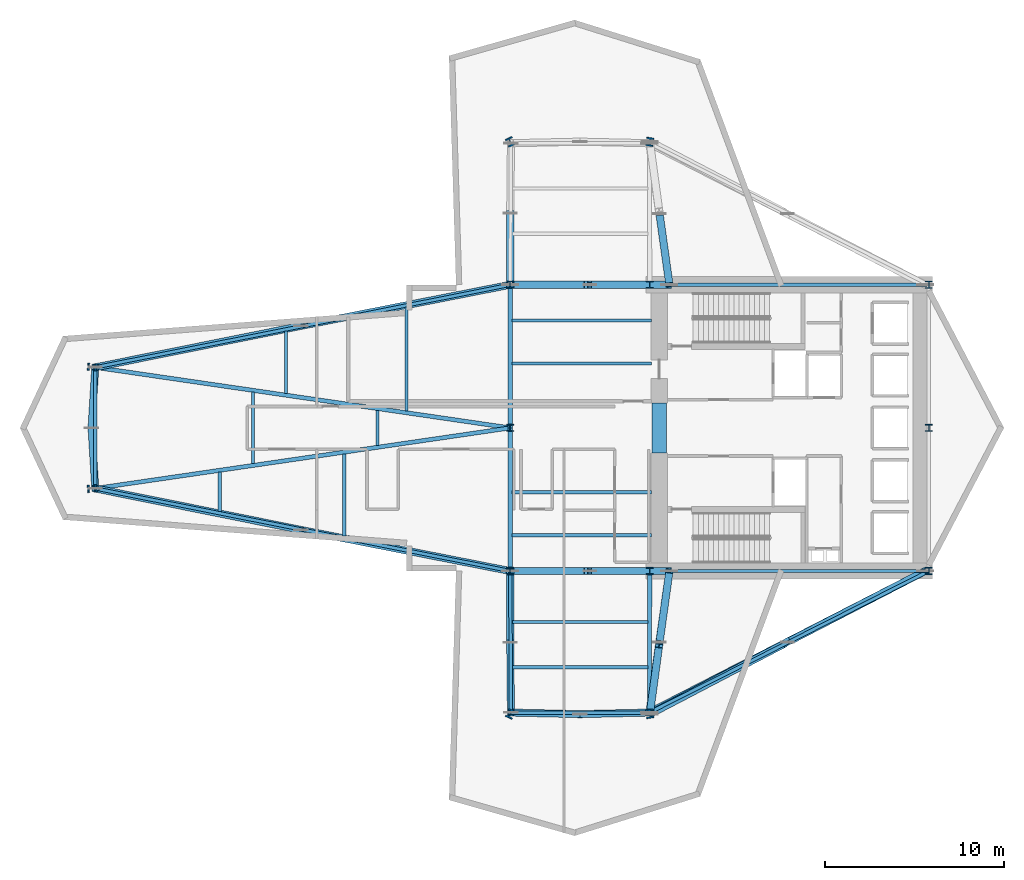
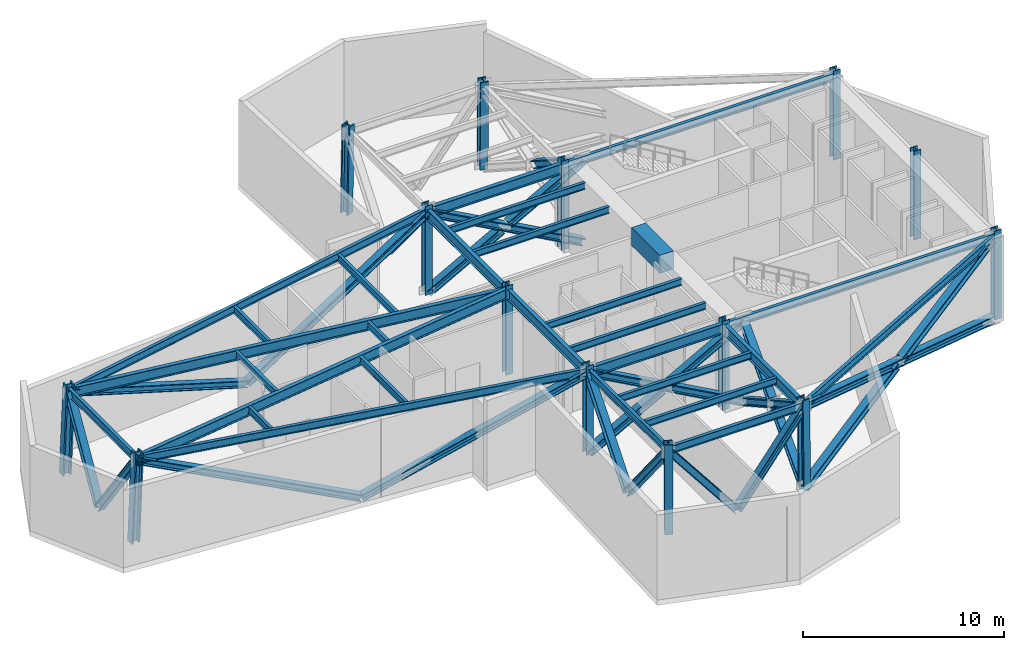
# One storey, part 1 of 7: 28 beams, 24 members, 14 columns.
"""IFC4 building model written with IfcOpenShell, lengths in metres."""

from ifc_helpers import new_model, si_unit, direction, frame, origin, origin_2d, place, context, subcontext, project, spatial, rectangle, i_section, extrude, material, material_profile, profile_set, type_object, element, save


model = new_model("IFC4")

# Units and contexts
model_context = context("Model", 3, precision=1e-05, world=origin(), true_north=direction((0.0, 1.0)))
body_context = subcontext(model_context, "Body", "Model", "MODEL_VIEW")
ifc_project = project(units=[si_unit("LENGTHUNIT", "METRE"), si_unit("AREAUNIT", "SQUARE_METRE"), si_unit("VOLUMEUNIT", "CUBIC_METRE"), si_unit("PLANEANGLEUNIT", "RADIAN"), si_unit("MASSUNIT", "GRAM", prefix="KILO")], contexts=[model_context])

# Site, building, storey
site_placement = place(None, origin())
site = spatial("IfcSite", under=ifc_project, at=site_placement, CompositionType="ELEMENT")
building_placement = place(site_placement, origin())
building = spatial("IfcBuilding", under=site, at=building_placement, Name="Veymaron Broadcast Tower", CompositionType="ELEMENT")
storey_placement = place(building_placement, frame((0.0, 0.0, 32.39990234375)))
storey = spatial("IfcBuildingStorey", under=building, at=storey_placement, Name="L06", CompositionType="ELEMENT", Elevation=32.39990234375)

# Columns
ifc_material_1 = material(Name="Structural steel ASTM A913 Gr 65", Category="steel")
ifc_material_profile_1 = material_profile(ifc_material_1, i_section(OverallWidth=0.40087890625, OverallDepth=0.39892578125, WebThickness=0.02490234375, FlangeThickness=0.03955078125, at=origin_2d()), Name="W360X314")
ifc_profile_set_1 = profile_set([ifc_material_profile_1], Name="Structural steel ASTM A913 Gr 65")
column_type_1 = type_object("IfcColumnType", Name="COL-HC1", PredefinedType="COLUMN", material=ifc_profile_set_1)
for number, where, z_axis, x_axis, name in (
    (1, (31.199951171875, 16.0, 0.0), (0.0, 0.0, 1.0), (1.0, 0.0, 0.0), "L06 structural hub and core column"),
    (2, (31.199951171875, 24.0, 0.0), (0.0, 0.0, 1.0), (1.0, 0.0, 0.0), "L06 structural hub and core column"),
    (3, (31.199951171875, 32.0, 0.0), (0.0, 0.0, 1.0), (1.0, 0.0, 0.0), "L06 structural hub and core column"),
    (4, (39.0, 16.0, 0.0), (0.0, 0.0, 1.0), (1.0, 0.0, 0.0), "L06 structural hub and core column"),
    (5, (39.0, 32.0, 0.0), (0.0, 0.0, 1.0), (1.0, 0.0, 0.0), "L06 structural hub and core column"),
    (6, (54.60009765625, 16.0, 0.0), (0.0, 0.0, 1.0), (1.0, 0.0, 0.0), "L06 structural hub and core column"),
    (7, (54.60009765625, 24.0, 0.0), (0.0, 0.0, 1.0), (1.0, 0.0, 0.0), "L06 structural hub and core column"),
    (8, (54.60009765625, 32.0, 0.0), (0.0, 0.0, 1.0), (1.0, 0.0, 0.0), "L06 structural hub and core column"),
):
    element("IfcColumn", number, at=place(storey_placement, frame(where, z_axis=z_axis, x_axis=x_axis)), inside=storey, type_object=column_type_1, Name=name, PredefinedType="COLUMN", context=body_context, shape_type="SweptSolid", body=[
        extrude(i_section(OverallWidth=0.40087890625, OverallDepth=0.39892578125, WebThickness=0.02490234375, FlangeThickness=0.03955078125, at=origin_2d()), origin(), (0.0, 0.0, 1.0), 5.39404296875),
    ])
ifc_material_profile_2 = material_profile(ifc_material_1, i_section(OverallWidth=0.424072265625, OverallDepth=0.47412109375, WebThickness=0.047607421875, FlangeThickness=0.076904296875, at=origin_2d()), Name="W360X634")
ifc_profile_set_2 = profile_set([ifc_material_profile_2], Name="Structural steel ASTM A913 Gr 65")
column_type_2 = type_object("IfcColumnType", Name="COL-MC1", PredefinedType="COLUMN", material=ifc_profile_set_2)
for number, where, z_axis, x_axis, name in (
    (9, (7.800048828125, 20.60009765625, 0.01611328125), (0.038539443418, 0.002772294869, 0.999253234011), (-0.071748570475, 0.997422750209, 0.0), "L06 Tapered Wing Mega Column"),
    (10, (7.800048828125, 27.39990234375, 0.01611328125), (0.038539443418, -0.002772294869, 0.999253234011), (0.071748570475, 0.997422750209, 0.0), "L06 Tapered Wing Mega Column"),
):
    element("IfcColumn", number, at=place(storey_placement, frame(where, z_axis=z_axis, x_axis=x_axis)), inside=storey, type_object=column_type_2, Name=name, PredefinedType="COLUMN", context=body_context, shape_type="SweptSolid", body=[
        extrude(i_section(OverallWidth=0.424072265625, OverallDepth=0.47412109375, WebThickness=0.047607421875, FlangeThickness=0.076904296875, at=origin_2d()), origin(), (0.0, 0.0, 1.0), 5.371826171875),
    ])
column_1_placement = place(storey_placement, frame((31.199951171875, 40.0, 0.01611328125), z_axis=(0.007821463692, -0.016779768036, 0.999828617359), x_axis=(0.906371306068, 0.422482018004, 0.0)))
element("IfcColumn", 11, at=column_1_placement, inside=storey, type_object=column_type_2, Name="L06 Tapered Wing Mega Column", PredefinedType="COLUMN", context=body_context, shape_type="SweptSolid", body=[
    extrude(i_section(OverallWidth=0.424072265625, OverallDepth=0.47412109375, WebThickness=0.047607421875, FlangeThickness=0.076904296875, at=origin_2d()), origin(), (0.0, 0.0, 1.0), 5.368896484375),
])
column_2_placement = place(storey_placement, frame((39.0, 40.0, 0.01611328125), z_axis=(-0.002773965371, -0.016780216752, 0.99985535426), x_axis=(0.986609855888, -0.163098106258, 0.0)))
element("IfcColumn", 12, at=column_2_placement, inside=storey, type_object=column_type_2, Name="L06 Tapered Wing Mega Column", PredefinedType="COLUMN", context=body_context, shape_type="SweptSolid", body=[
    extrude(i_section(OverallWidth=0.424072265625, OverallDepth=0.47412109375, WebThickness=0.047607421875, FlangeThickness=0.076904296875, at=origin_2d()), origin(), (0.0, 0.0, 1.0), 5.36865234375),
])
column_3_placement = place(storey_placement, frame((31.199951171875, 8.0, 0.01611328125), z_axis=(0.007821463692, 0.016779768036, 0.999828617359), x_axis=(-0.906371306068, 0.422482018004, 0.0)))
element("IfcColumn", 13, at=column_3_placement, inside=storey, type_object=column_type_2, Name="L06 Tapered Wing Mega Column", PredefinedType="COLUMN", context=body_context, shape_type="SweptSolid", body=[
    extrude(i_section(OverallWidth=0.424072265625, OverallDepth=0.47412109375, WebThickness=0.047607421875, FlangeThickness=0.076904296875, at=origin_2d()), origin(), (0.0, 0.0, 1.0), 5.368896484375),
])
column_4_placement = place(storey_placement, frame((39.0, 8.0, 0.01611328125), z_axis=(-0.002773965371, 0.016780216752, 0.99985535426), x_axis=(-0.986609855888, -0.163098106258, 0.0)))
element("IfcColumn", 14, at=column_4_placement, inside=storey, type_object=column_type_2, Name="L06 Tapered Wing Mega Column", PredefinedType="COLUMN", context=body_context, shape_type="SweptSolid", body=[
    extrude(i_section(OverallWidth=0.424072265625, OverallDepth=0.47412109375, WebThickness=0.047607421875, FlangeThickness=0.076904296875, at=origin_2d()), origin(), (0.0, 0.0, 1.0), 5.36865234375),
])

# Beams
ifc_material_2 = material(Name="Concrete C70/85", Category="concrete")
ifc_material_profile_3 = material_profile(ifc_material_2, rectangle(XDim=0.800048828125, YDim=1.10009765625, at=origin_2d()), Name="RC800X1100")
ifc_profile_set_3 = profile_set([ifc_material_profile_3], Name="Concrete C70/85")
beam_type_1 = type_object("IfcBeamType", Name="BM-CB1", PredefinedType="LINTEL", material=ifc_profile_set_3)
beam_1_placement = place(storey_placement, frame((39.530029296875, 22.60009765625, 4.610107421875), z_axis=(0.0, 1.0, 0.0), x_axis=(-1.0, 0.0, 0.0)))
element("IfcBeam", 15, at=beam_1_placement, inside=storey, type_object=beam_type_1, Name="L06 Core Wall west coupling beam", PredefinedType="LINTEL", context=body_context, shape_type="SweptSolid", body=[
    extrude(rectangle(XDim=0.800048828125, YDim=1.10009765625, at=origin_2d()), origin(), (0.0, 0.0, 1.0), 2.7998046875),
])
ifc_material_3 = material(Name="Structural steel ASTM A992 Gr 50", Category="steel")
ifc_material_profile_4 = material_profile(ifc_material_3, i_section(OverallWidth=0.22998046875, OverallDepth=0.616943359375, WebThickness=0.01318359375, FlangeThickness=0.022216796875, at=origin_2d()), Name="W610X140")
ifc_profile_set_4 = profile_set([ifc_material_profile_4], Name="Structural steel ASTM A992 Gr 50")
beam_type_2 = type_object("IfcBeamType", Name="BM-FG1", PredefinedType="BEAM", material=ifc_profile_set_4)
for number, where, z_axis, x_axis, name in (
    (16, (31.199951171875, 16.0, 4.8515625), (0.0, 1.0, 0.0), (-1.0, 0.0, 0.0), "L06 primary structural floor girder"),
    (17, (31.199951171875, 24.0, 4.8515625), (0.0, 1.0, 0.0), (-1.0, 0.0, 0.0), "L06 primary structural floor girder"),
):
    element("IfcBeam", number, at=place(storey_placement, frame(where, z_axis=z_axis, x_axis=x_axis)), inside=storey, type_object=beam_type_2, Name=name, PredefinedType="BEAM", context=body_context, shape_type="SweptSolid", body=[
        extrude(i_section(OverallWidth=0.22998046875, OverallDepth=0.616943359375, WebThickness=0.01318359375, FlangeThickness=0.022216796875, at=origin_2d()), origin(), (0.0, 0.0, 1.0), 8.0),
    ])
for number, where, z_axis, x_axis, name in (
    (18, (31.199951171875, 16.0, 4.8515625), (1.0, 0.0, 0.0), (0.0, 1.0, 0.0), "L06 primary structural floor girder"),
    (19, (31.199951171875, 32.0, 4.8515625), (1.0, 0.0, 0.0), (0.0, 1.0, 0.0), "L06 primary structural floor girder"),
):
    element("IfcBeam", number, at=place(storey_placement, frame(where, z_axis=z_axis, x_axis=x_axis)), inside=storey, type_object=beam_type_2, Name=name, PredefinedType="BEAM", context=body_context, shape_type="SweptSolid", body=[
        extrude(i_section(OverallWidth=0.22998046875, OverallDepth=0.616943359375, WebThickness=0.01318359375, FlangeThickness=0.022216796875, at=origin_2d()), origin(), (0.0, 0.0, 1.0), 7.800048828125),
    ])
for number, where, z_axis, x_axis, name in (
    (20, (8.007080078125, 20.614990234375, 4.8515625), (0.989516427304, 0.144420359003, 0.0), (-0.144420359003, 0.989516427304, 0.0), "L06 primary structural floor girder"),
    (21, (8.007080078125, 27.385009765625, 4.8515625), (0.989516427304, -0.144420359003, 0.0), (0.144420359003, 0.989516427304, 0.0), "L06 primary structural floor girder"),
):
    element("IfcBeam", number, at=place(storey_placement, frame(where, z_axis=z_axis, x_axis=x_axis)), inside=storey, type_object=beam_type_2, Name=name, PredefinedType="BEAM", context=body_context, shape_type="SweptSolid", body=[
        extrude(i_section(OverallWidth=0.22998046875, OverallDepth=0.616943359375, WebThickness=0.01318359375, FlangeThickness=0.022216796875, at=origin_2d()), origin(), (0.0, 0.0, 1.0), 23.4384765625),
    ])
beam_2_placement = place(storey_placement, frame((39.0, 16.0, 4.8515625), z_axis=(-0.001882770823, -0.999998227585, 0.0), x_axis=(0.999998227585, -0.001882770823, 0.0)))
element("IfcBeam", 22, at=beam_2_placement, inside=storey, type_object=beam_type_2, Name="L06 primary structural floor girder", PredefinedType="BEAM", context=body_context, shape_type="SweptSolid", body=[
    extrude(i_section(OverallWidth=0.22998046875, OverallDepth=0.616943359375, WebThickness=0.01318359375, FlangeThickness=0.022216796875, at=origin_2d()), origin(), (0.0, 0.0, 1.0), 7.909912109375),
])
ifc_material_profile_5 = material_profile(ifc_material_3, i_section(OverallWidth=0.177978515625, OverallDepth=0.406982421875, WebThickness=0.0078125, FlangeThickness=0.0126953125, at=origin_2d()), Name="W410X60")
ifc_profile_set_5 = profile_set([ifc_material_profile_5], Name="Structural steel ASTM A992 Gr 50")
beam_type_3 = type_object("IfcBeamType", Name="BM-JS1", PredefinedType="JOIST", material=ifc_profile_set_5)
beam_3_placement = place(storey_placement, frame((14.96484375, 19.33056640625, 4.95654296875), z_axis=(0.0, 1.0, 0.0), x_axis=(-1.0, 0.0, 0.0)))
element("IfcBeam", 23, at=beam_3_placement, inside=storey, type_object=beam_type_3, Name="L06 Arm-A secondary joist 1S", PredefinedType="JOIST", context=body_context, shape_type="SweptSolid", body=[
    extrude(i_section(OverallWidth=0.177978515625, OverallDepth=0.406982421875, WebThickness=0.0078125, FlangeThickness=0.0126953125, at=origin_2d()), origin(), (0.0, 0.0, 1.0), 2.199951171875),
])
beam_4_placement = place(storey_placement, frame((16.8203125, 22.001220703125, 4.95654296875), z_axis=(0.0, 1.0, 0.0), x_axis=(-1.0, 0.0, 0.0)))
element("IfcBeam", 24, at=beam_4_placement, inside=storey, type_object=beam_type_3, Name="L06 Arm-A secondary joist 1M", PredefinedType="JOIST", context=body_context, shape_type="SweptSolid", body=[
    extrude(i_section(OverallWidth=0.177978515625, OverallDepth=0.406982421875, WebThickness=0.0078125, FlangeThickness=0.0126953125, at=origin_2d()), origin(), (0.0, 0.0, 1.0), 3.99755859375),
])
beam_5_placement = place(storey_placement, frame((18.67578125, 25.927978515625, 4.95654296875), z_axis=(0.0, 1.0, 0.0), x_axis=(-1.0, 0.0, 0.0)))
element("IfcBeam", 25, at=beam_5_placement, inside=storey, type_object=beam_type_3, Name="L06 Arm-A secondary joist 1N", PredefinedType="JOIST", context=body_context, shape_type="SweptSolid", body=[
    extrude(i_section(OverallWidth=0.177978515625, OverallDepth=0.406982421875, WebThickness=0.0078125, FlangeThickness=0.0126953125, at=origin_2d()), origin(), (0.0, 0.0, 1.0), 3.47998046875),
])
beam_6_placement = place(storey_placement, frame((21.9228515625, 17.946044921875, 4.95654296875), z_axis=(0.0, 1.0, 0.0), x_axis=(-1.0, 0.0, 0.0)))
element("IfcBeam", 26, at=beam_6_placement, inside=storey, type_object=beam_type_3, Name="L06 Arm-A secondary joist 2S", PredefinedType="JOIST", context=body_context, shape_type="SweptSolid", body=[
    extrude(i_section(OverallWidth=0.177978515625, OverallDepth=0.406982421875, WebThickness=0.0078125, FlangeThickness=0.0126953125, at=origin_2d()), origin(), (0.0, 0.0, 1.0), 4.599853515625),
])
beam_7_placement = place(storey_placement, frame((23.7783203125, 23.016845703125, 4.95654296875), z_axis=(0.0, 1.0, 0.0), x_axis=(-1.0, 0.0, 0.0)))
element("IfcBeam", 27, at=beam_7_placement, inside=storey, type_object=beam_type_3, Name="L06 Arm-A secondary joist 2M", PredefinedType="JOIST", context=body_context, shape_type="SweptSolid", body=[
    extrude(i_section(OverallWidth=0.177978515625, OverallDepth=0.406982421875, WebThickness=0.0078125, FlangeThickness=0.0126953125, at=origin_2d()), origin(), (0.0, 0.0, 1.0), 1.96630859375),
])
beam_8_placement = place(storey_placement, frame((25.401611328125, 24.9462890625, 4.95654296875), z_axis=(0.0, 1.0, 0.0), x_axis=(-1.0, 0.0, 0.0)))
element("IfcBeam", 28, at=beam_8_placement, inside=storey, type_object=beam_type_3, Name="L06 Arm-A secondary joist 2N", PredefinedType="JOIST", context=body_context, shape_type="SweptSolid", body=[
    extrude(i_section(OverallWidth=0.177978515625, OverallDepth=0.406982421875, WebThickness=0.0078125, FlangeThickness=0.0126953125, at=origin_2d()), origin(), (0.0, 0.0, 1.0), 5.7998046875),
])
beam_9_placement = place(storey_placement, frame((31.315185546875, 13.15234375, 4.95654296875), z_axis=(1.0, 0.0, 0.0), x_axis=(0.0, 1.0, 0.0)))
element("IfcBeam", 29, at=beam_9_placement, inside=storey, type_object=beam_type_3, Name="L06 Arm-C secondary joist 1", PredefinedType="JOIST", context=body_context, shape_type="SweptSolid", body=[
    extrude(i_section(OverallWidth=0.177978515625, OverallDepth=0.406982421875, WebThickness=0.0078125, FlangeThickness=0.0126953125, at=origin_2d()), origin(), (0.0, 0.0, 1.0), 7.579345703125),
])
beam_10_placement = place(storey_placement, frame((31.32861328125, 10.62109375, 4.95654296875), z_axis=(1.0, 0.0, 0.0), x_axis=(0.0, 1.0, 0.0)))
element("IfcBeam", 30, at=beam_10_placement, inside=storey, type_object=beam_type_3, Name="L06 Arm-C secondary joist 2", PredefinedType="JOIST", context=body_context, shape_type="SweptSolid", body=[
    extrude(i_section(OverallWidth=0.177978515625, OverallDepth=0.406982421875, WebThickness=0.0078125, FlangeThickness=0.0126953125, at=origin_2d()), origin(), (0.0, 0.0, 1.0), 7.561279296875),
])
for number, where, z_axis, x_axis, name in (
    (31, (31.300048828125, 18.0, 4.95654296875), (1.0, 0.0, 0.0), (0.0, 1.0, 0.0), "L06 Hub secondary joist 1"),
    (32, (31.300048828125, 20.39990234375, 4.95654296875), (1.0, 0.0, 0.0), (0.0, 1.0, 0.0), "L06 Hub secondary joist 2"),
    (33, (31.300048828125, 27.60009765625, 4.95654296875), (1.0, 0.0, 0.0), (0.0, 1.0, 0.0), "L06 Hub secondary joist 3"),
    (34, (31.300048828125, 30.0, 4.95654296875), (1.0, 0.0, 0.0), (0.0, 1.0, 0.0), "L06 Hub secondary joist 4"),
):
    element("IfcBeam", number, at=place(storey_placement, frame(where, z_axis=z_axis, x_axis=x_axis)), inside=storey, type_object=beam_type_3, Name=name, PredefinedType="JOIST", context=body_context, shape_type="SweptSolid", body=[
        extrude(i_section(OverallWidth=0.177978515625, OverallDepth=0.406982421875, WebThickness=0.0078125, FlangeThickness=0.0126953125, at=origin_2d()), origin(), (0.0, 0.0, 1.0), 7.800048828125),
    ])
ifc_material_profile_6 = material_profile(ifc_material_3, i_section(OverallWidth=0.19091796875, OverallDepth=0.4599609375, WebThickness=0.010009765625, FlangeThickness=0.01611328125, at=origin_2d()), Name="W460X82")
ifc_profile_set_6 = profile_set([ifc_material_profile_6], Name="Structural steel ASTM A992 Gr 50")
beam_type_4 = type_object("IfcBeamType", Name="BM-SP1", PredefinedType="SPANDREL", material=ifc_profile_set_6)
for number, where, z_axis, x_axis, name in (
    (35, (39.0, 16.0, 4.93017578125), (1.0, 0.0, 0.0), (0.0, 1.0, 0.0), "L06 primary structural floor girder"),
    (36, (39.0, 32.0, 4.93017578125), (1.0, 0.0, 0.0), (0.0, 1.0, 0.0), "L06 primary structural floor girder"),
):
    element("IfcBeam", number, at=place(storey_placement, frame(where, z_axis=z_axis, x_axis=x_axis)), inside=storey, type_object=beam_type_4, Name=name, PredefinedType="SPANDREL", context=body_context, shape_type="SweptSolid", body=[
        extrude(i_section(OverallWidth=0.19091796875, OverallDepth=0.4599609375, WebThickness=0.010009765625, FlangeThickness=0.01611328125, at=origin_2d()), origin(), (0.0, 0.0, 1.0), 15.60009765625),
    ])
for number, where, z_axis, x_axis, name in (
    (37, (8.007080078125, 20.614990234375, 4.93017578125), (0.980771997416, -0.195157088225, 0.0), (0.195157088225, 0.980771997416, 0.0), "L06 primary structural floor girder"),
    (38, (8.007080078125, 27.385009765625, 4.93017578125), (0.980771997416, 0.195157088225, 0.0), (-0.195157088225, 0.980771997416, 0.0), "L06 primary structural floor girder"),
):
    element("IfcBeam", number, at=place(storey_placement, frame(where, z_axis=z_axis, x_axis=x_axis)), inside=storey, type_object=beam_type_4, Name=name, PredefinedType="SPANDREL", context=body_context, shape_type="SweptSolid", body=[
        extrude(i_section(OverallWidth=0.19091796875, OverallDepth=0.4599609375, WebThickness=0.010009765625, FlangeThickness=0.01611328125, at=origin_2d()), origin(), (0.0, 0.0, 1.0), 23.6474609375),
    ])
beam_11_placement = place(storey_placement, frame((8.007080078125, 20.614990234375, 4.93017578125), z_axis=(0.0, 1.0, 0.0), x_axis=(-1.0, 0.0, 0.0)))
element("IfcBeam", 39, at=beam_11_placement, inside=storey, type_object=beam_type_4, Name="L06 primary structural floor girder", PredefinedType="SPANDREL", context=body_context, shape_type="SweptSolid", body=[
    extrude(i_section(OverallWidth=0.19091796875, OverallDepth=0.4599609375, WebThickness=0.010009765625, FlangeThickness=0.01611328125, at=origin_2d()), origin(), (0.0, 0.0, 1.0), 6.77001953125),
])
beam_12_placement = place(storey_placement, frame((31.199951171875, 16.0, 4.93017578125), z_axis=(0.005308731019, -0.999985908588, 0.0), x_axis=(0.999985908588, 0.005308731019, 0.0)))
element("IfcBeam", 40, at=beam_12_placement, inside=storey, type_object=beam_type_4, Name="L06 primary structural floor girder", PredefinedType="SPANDREL", context=body_context, shape_type="SweptSolid", body=[
    extrude(i_section(OverallWidth=0.19091796875, OverallDepth=0.4599609375, WebThickness=0.010009765625, FlangeThickness=0.01611328125, at=origin_2d()), origin(), (0.0, 0.0, 1.0), 7.909912109375),
])
beam_13_placement = place(storey_placement, frame((54.60009765625, 16.0, 4.93017578125), z_axis=(-0.892074535594, -0.451888285913, 0.0), x_axis=(0.451888285913, -0.892074535594, 0.0)))
element("IfcBeam", 41, at=beam_13_placement, inside=storey, type_object=beam_type_4, Name="L06 primary structural floor girder", PredefinedType="SPANDREL", context=body_context, shape_type="SweptSolid", body=[
    extrude(i_section(OverallWidth=0.19091796875, OverallDepth=0.4599609375, WebThickness=0.010009765625, FlangeThickness=0.01611328125, at=origin_2d()), origin(), (0.0, 0.0, 1.0), 17.504150390625),
])
beam_14_placement = place(storey_placement, frame((31.241943359375, 8.090087890625, 4.93017578125), z_axis=(1.0, 0.0, 0.0), x_axis=(0.0, 1.0, 0.0)))
element("IfcBeam", 42, at=beam_14_placement, inside=storey, type_object=beam_type_4, Name="L06 primary structural floor girder", PredefinedType="SPANDREL", context=body_context, shape_type="SweptSolid", body=[
    extrude(i_section(OverallWidth=0.19091796875, OverallDepth=0.4599609375, WebThickness=0.010009765625, FlangeThickness=0.01611328125, at=origin_2d()), origin(), (0.0, 0.0, 1.0), 7.7431640625),
])

# Members
ifc_material_profile_7 = material_profile(ifc_material_1, i_section(OverallWidth=0.40087890625, OverallDepth=0.39892578125, WebThickness=0.02490234375, FlangeThickness=0.03955078125, at=origin_2d()), Name="W360X314")
ifc_profile_set_7 = profile_set([ifc_material_profile_7], Name="Structural steel ASTM A913 Gr 65")
member_type_1 = type_object("IfcMemberType", Name="MEM-BT1", PredefinedType="BRACE", material=ifc_profile_set_7)
for number, where, z_axis, x_axis, name in (
    (43, (7.800048828125, 24.0, 0.02001953125), (0.034789228202, -0.568812086117, 0.82173141615), (0.998134884963, 0.061047124591, 0.0), "L06 Belt Truss perimeter diagonal L"),
    (44, (7.800048828125, 24.0, 0.02001953125), (0.034789228202, 0.568812086117, 0.82173141615), (-0.998134884963, 0.061047124591, 0.0), "L06 Belt Truss perimeter diagonal R"),
):
    element("IfcMember", number, at=place(storey_placement, frame(where, z_axis=z_axis, x_axis=x_axis)), inside=storey, type_object=member_type_1, Name=name, PredefinedType="BRACE", context=body_context, shape_type="SweptSolid", body=[
        extrude(i_section(OverallWidth=0.40087890625, OverallDepth=0.39892578125, WebThickness=0.02490234375, FlangeThickness=0.03955078125, at=origin_2d()), origin(), (0.0, 0.0, 1.0), 5.950927734375),
    ])
member_1_placement = place(storey_placement, frame((35.10009765625, 8.0, 0.02001953125), z_axis=(-0.619334216474, 0.014461451995, 0.784994264126), x_axis=(-0.023343633968, -0.999727500249, 0.0)))
element("IfcMember", 45, at=member_1_placement, inside=storey, type_object=member_type_1, Name="L06 Belt Truss perimeter diagonal L", PredefinedType="BRACE", context=body_context, shape_type="SweptSolid", body=[
    extrude(i_section(OverallWidth=0.40087890625, OverallDepth=0.39892578125, WebThickness=0.02490234375, FlangeThickness=0.03955078125, at=origin_2d()), origin(), (0.0, 0.0, 1.0), 6.2294921875),
])
member_2_placement = place(storey_placement, frame((35.10009765625, 8.0, 0.02001953125), z_axis=(0.621981006364, 0.014422861267, 0.78289948831), x_axis=(-0.023182356085, 0.999731253071, 0.0)))
element("IfcMember", 46, at=member_2_placement, inside=storey, type_object=member_type_1, Name="L06 Belt Truss perimeter diagonal R", PredefinedType="BRACE", context=body_context, shape_type="SweptSolid", body=[
    extrude(i_section(OverallWidth=0.40087890625, OverallDepth=0.39892578125, WebThickness=0.02490234375, FlangeThickness=0.03955078125, at=origin_2d()), origin(), (0.0, 0.0, 1.0), 6.24609375),
])
member_3_placement = place(storey_placement, frame((19.5, 29.699951171875, 0.02001953125), z_axis=(-0.904759136709, -0.182239535513, 0.384967084616), x_axis=(0.197457527364, -0.980311442801, 0.0)))
element("IfcMember", 47, at=member_3_placement, inside=storey, type_object=member_type_1, Name="L06 Belt Truss perimeter diagonal L", PredefinedType="BRACE", context=body_context, shape_type="SweptSolid", body=[
    extrude(i_section(OverallWidth=0.40087890625, OverallDepth=0.39892578125, WebThickness=0.02490234375, FlangeThickness=0.03955078125, at=origin_2d()), origin(), (0.0, 0.0, 1.0), 12.70263671875),
])
member_4_placement = place(storey_placement, frame((19.5, 29.699951171875, 0.02001953125), z_axis=(0.907839370942, 0.178468683381, 0.379442493166), x_axis=(-0.192894214887, 0.981219558439, 0.0)))
element("IfcMember", 48, at=member_4_placement, inside=storey, type_object=member_type_1, Name="L06 Belt Truss perimeter diagonal R", PredefinedType="BRACE", context=body_context, shape_type="SweptSolid", body=[
    extrude(i_section(OverallWidth=0.40087890625, OverallDepth=0.39892578125, WebThickness=0.02490234375, FlangeThickness=0.03955078125, at=origin_2d()), origin(), (0.0, 0.0, 1.0), 12.8876953125),
])
member_5_placement = place(storey_placement, frame((19.5, 18.300048828125, 0.02001953125), z_axis=(-0.904759136709, 0.182239535513, 0.384967084616), x_axis=(-0.197457527364, -0.980311442801, 0.0)))
element("IfcMember", 49, at=member_5_placement, inside=storey, type_object=member_type_1, Name="L06 Belt Truss perimeter diagonal L", PredefinedType="BRACE", context=body_context, shape_type="SweptSolid", body=[
    extrude(i_section(OverallWidth=0.40087890625, OverallDepth=0.39892578125, WebThickness=0.02490234375, FlangeThickness=0.03955078125, at=origin_2d()), origin(), (0.0, 0.0, 1.0), 12.70263671875),
])
member_6_placement = place(storey_placement, frame((19.5, 18.300048828125, 0.02001953125), z_axis=(0.907839370942, -0.178468683381, 0.379442493166), x_axis=(0.192894214887, 0.981219558439, 0.0)))
element("IfcMember", 50, at=member_6_placement, inside=storey, type_object=member_type_1, Name="L06 Belt Truss perimeter diagonal R", PredefinedType="BRACE", context=body_context, shape_type="SweptSolid", body=[
    extrude(i_section(OverallWidth=0.40087890625, OverallDepth=0.39892578125, WebThickness=0.02490234375, FlangeThickness=0.03955078125, at=origin_2d()), origin(), (0.0, 0.0, 1.0), 12.8876953125),
])
for number, where, z_axis, x_axis, name in (
    (51, (31.199951171875, 36.0, 0.02001953125), (0.0, -0.633140984351, 0.77403649393), (1.0, 0.0, 0.0), "L06 Belt Truss perimeter diagonal L"),
    (52, (31.199951171875, 12.0, 0.02001953125), (0.0, 0.633140984351, 0.77403649393), (-1.0, 0.0, 0.0), "L06 Belt Truss perimeter diagonal L"),
):
    element("IfcMember", number, at=place(storey_placement, frame(where, z_axis=z_axis, x_axis=x_axis)), inside=storey, type_object=member_type_1, Name=name, PredefinedType="BRACE", context=body_context, shape_type="SweptSolid", body=[
        extrude(i_section(OverallWidth=0.40087890625, OverallDepth=0.39892578125, WebThickness=0.02490234375, FlangeThickness=0.03955078125, at=origin_2d()), origin(), (0.0, 0.0, 1.0), 6.317626953125),
    ])
member_7_placement = place(storey_placement, frame((31.199951171875, 12.0, 0.02001953125), z_axis=(0.006706732586, -0.624466990515, 0.781022405246), x_axis=(0.999942331926, 0.010739311963, 0.0)))
element("IfcMember", 53, at=member_7_placement, inside=storey, type_object=member_type_1, Name="L06 Belt Truss perimeter diagonal R", PredefinedType="BRACE", context=body_context, shape_type="SweptSolid", body=[
    extrude(i_section(OverallWidth=0.40087890625, OverallDepth=0.39892578125, WebThickness=0.02490234375, FlangeThickness=0.03955078125, at=origin_2d()), origin(), (0.0, 0.0, 1.0), 6.26123046875),
])
ifc_material_profile_8 = material_profile(ifc_material_1, i_section(OverallWidth=0.412109375, OverallDepth=0.43505859375, WebThickness=0.035888671875, FlangeThickness=0.05810546875, at=origin_2d()), Name="W360X463")
ifc_profile_set_8 = profile_set([ifc_material_profile_8], Name="Structural steel ASTM A913 Gr 65")
member_type_2 = type_object("IfcMemberType", Name="MEM-OT1", PredefinedType="BRACE", material=ifc_profile_set_8)
member_8_placement = place(storey_placement, frame((40.10009765625, 32.0, 0.02001953125), z_axis=(-0.876421401854, 0.0, 0.481544937022), x_axis=(0.0, -1.0, 0.0)))
element("IfcMember", 54, at=member_8_placement, inside=storey, type_object=member_type_2, Name="L06 Outrigger continuous diagonal brace OT-NWA", PredefinedType="BRACE", context=body_context, shape_type="SweptSolid", body=[
    extrude(i_section(OverallWidth=0.412109375, OverallDepth=0.43505859375, WebThickness=0.035888671875, FlangeThickness=0.05810546875, at=origin_2d()), origin(), (0.0, 0.0, 1.0), 10.155029296875),
])
member_9_placement = place(storey_placement, frame((40.10009765625, 32.0, 4.91015625), z_axis=(-0.876435321695, 0.0, -0.481519601767), x_axis=(0.0, -1.0, 0.0)))
element("IfcMember", 55, at=member_9_placement, inside=storey, type_object=member_type_2, Name="L06 Outrigger split diagonal upper segment OT-NWB1", PredefinedType="BRACE", context=body_context, shape_type="SweptSolid", body=[
    extrude(i_section(OverallWidth=0.412109375, OverallDepth=0.43505859375, WebThickness=0.035888671875, FlangeThickness=0.05810546875, at=origin_2d()), origin(), (0.0, 0.0, 1.0), 4.83740234375),
])
member_10_placement = place(storey_placement, frame((35.439697265625, 32.0, 2.349609375), z_axis=(-0.876414022615, 0.0, -0.481558367142), x_axis=(0.0, -1.0, 0.0)))
element("IfcMember", 56, at=member_10_placement, inside=storey, type_object=member_type_2, Name="L06 Outrigger split diagonal lower segment OT-NWB2", PredefinedType="BRACE", context=body_context, shape_type="SweptSolid", body=[
    extrude(i_section(OverallWidth=0.412109375, OverallDepth=0.43505859375, WebThickness=0.035888671875, FlangeThickness=0.05810546875, at=origin_2d()), origin(), (0.0, 0.0, 1.0), 4.837646484375),
])
member_11_placement = place(storey_placement, frame((40.10009765625, 16.0, 0.02001953125), z_axis=(-0.876421401854, 0.0, 0.481544937022), x_axis=(0.0, -1.0, 0.0)))
element("IfcMember", 57, at=member_11_placement, inside=storey, type_object=member_type_2, Name="L06 Outrigger continuous diagonal brace OT-SWA", PredefinedType="BRACE", context=body_context, shape_type="SweptSolid", body=[
    extrude(i_section(OverallWidth=0.412109375, OverallDepth=0.43505859375, WebThickness=0.035888671875, FlangeThickness=0.05810546875, at=origin_2d()), origin(), (0.0, 0.0, 1.0), 10.155029296875),
])
member_12_placement = place(storey_placement, frame((40.10009765625, 16.0, 4.91015625), z_axis=(-0.876435321695, 0.0, -0.481519601767), x_axis=(0.0, -1.0, 0.0)))
element("IfcMember", 58, at=member_12_placement, inside=storey, type_object=member_type_2, Name="L06 Outrigger split diagonal upper segment OT-SWB1", PredefinedType="BRACE", context=body_context, shape_type="SweptSolid", body=[
    extrude(i_section(OverallWidth=0.412109375, OverallDepth=0.43505859375, WebThickness=0.035888671875, FlangeThickness=0.05810546875, at=origin_2d()), origin(), (0.0, 0.0, 1.0), 4.83740234375),
])
member_13_placement = place(storey_placement, frame((35.439697265625, 16.0, 2.349609375), z_axis=(-0.876414022615, 0.0, -0.481558367142), x_axis=(0.0, -1.0, 0.0)))
element("IfcMember", 59, at=member_13_placement, inside=storey, type_object=member_type_2, Name="L06 Outrigger split diagonal lower segment OT-SWB2", PredefinedType="BRACE", context=body_context, shape_type="SweptSolid", body=[
    extrude(i_section(OverallWidth=0.412109375, OverallDepth=0.43505859375, WebThickness=0.035888671875, FlangeThickness=0.05810546875, at=origin_2d()), origin(), (0.0, 0.0, 1.0), 4.837646484375),
])
member_14_placement = place(storey_placement, frame((40.10009765625, 32.0, 4.91015625), z_axis=(-0.117864382853, 0.845898558277, -0.52015729963), x_axis=(-0.990431795457, -0.138003110642, 0.0)))
element("IfcMember", 60, at=member_14_placement, inside=storey, type_object=member_type_2, Name="L06 Outrigger split diagonal upper segment OT-B2B1", PredefinedType="BRACE", context=body_context, shape_type="SweptSolid", body=[
    extrude(i_section(OverallWidth=0.412109375, OverallDepth=0.43505859375, WebThickness=0.035888671875, FlangeThickness=0.05810546875, at=origin_2d()), origin(), (0.0, 0.0, 1.0), 4.461669921875),
])
member_15_placement = place(storey_placement, frame((40.10009765625, 16.0, 0.02001953125), z_axis=(-0.119045630548, -0.844528001778, 0.522111666274), x_axis=(0.99021062567, -0.139581219403, 0.0)))
element("IfcMember", 61, at=member_15_placement, inside=storey, type_object=member_type_2, Name="L06 Outrigger continuous diagonal brace OT-C2A", PredefinedType="BRACE", context=body_context, shape_type="SweptSolid", body=[
    extrude(i_section(OverallWidth=0.412109375, OverallDepth=0.43505859375, WebThickness=0.035888671875, FlangeThickness=0.05810546875, at=origin_2d()), origin(), (0.0, 0.0, 1.0), 9.365966796875),
])
member_16_placement = place(storey_placement, frame((40.10009765625, 16.0, 4.91015625), z_axis=(-0.117864382853, -0.845898558277, -0.52015729963), x_axis=(0.990431795457, -0.138003110642, 0.0)))
element("IfcMember", 62, at=member_16_placement, inside=storey, type_object=member_type_2, Name="L06 Outrigger split diagonal upper segment OT-C2B1", PredefinedType="BRACE", context=body_context, shape_type="SweptSolid", body=[
    extrude(i_section(OverallWidth=0.412109375, OverallDepth=0.43505859375, WebThickness=0.035888671875, FlangeThickness=0.05810546875, at=origin_2d()), origin(), (0.0, 0.0, 1.0), 4.461669921875),
])
member_17_placement = place(storey_placement, frame((39.518310546875, 11.819091796875, 2.3408203125), z_axis=(-0.1152079334, -0.848891993486, -0.515858038105), x_axis=(0.990915927433, -0.134482804701, 0.0)))
element("IfcMember", 63, at=member_17_placement, inside=storey, type_object=member_type_2, Name="L06 Outrigger split diagonal lower segment OT-C2B2", PredefinedType="BRACE", context=body_context, shape_type="SweptSolid", body=[
    extrude(i_section(OverallWidth=0.412109375, OverallDepth=0.43505859375, WebThickness=0.035888671875, FlangeThickness=0.05810546875, at=origin_2d()), origin(), (0.0, 0.0, 1.0), 4.4990234375),
])
member_18_placement = place(storey_placement, frame((54.39990234375, 16.0, 0.02001953125), z_axis=(-0.856250588128, -0.439374440595, 0.271634002442), x_axis=(0.456540060164, -0.889702856838, 0.0)))
element("IfcMember", 64, at=member_18_placement, inside=storey, type_object=member_type_2, Name="L06 Outrigger continuous diagonal brace OT-CEA", PredefinedType="BRACE", context=body_context, shape_type="SweptSolid", body=[
    extrude(i_section(OverallWidth=0.412109375, OverallDepth=0.43505859375, WebThickness=0.035888671875, FlangeThickness=0.05810546875, at=origin_2d()), origin(), (0.0, 0.0, 1.0), 18.002685546875),
])
member_19_placement = place(storey_placement, frame((54.39990234375, 16.0, 4.91015625), z_axis=(-0.855226880041, -0.441493648378, -0.271422810569), x_axis=(0.458713662443, -0.888584141141, 0.0)))
element("IfcMember", 65, at=member_19_placement, inside=storey, type_object=member_type_2, Name="L06 Outrigger split diagonal upper segment OT-CEB1", PredefinedType="BRACE", context=body_context, shape_type="SweptSolid", body=[
    extrude(i_section(OverallWidth=0.412109375, OverallDepth=0.43505859375, WebThickness=0.035888671875, FlangeThickness=0.05810546875, at=origin_2d()), origin(), (0.0, 0.0, 1.0), 8.76806640625),
])
member_20_placement = place(storey_placement, frame((46.4912109375, 11.916015625, 2.39990234375), z_axis=(-0.853053414234, -0.445931976415, -0.27100654028), x_axis=(0.463268644466, -0.88621789818, 0.0)))
element("IfcMember", 66, at=member_20_placement, inside=storey, type_object=member_type_2, Name="L06 Outrigger split diagonal lower segment OT-CEB2", PredefinedType="BRACE", context=body_context, shape_type="SweptSolid", body=[
    extrude(i_section(OverallWidth=0.412109375, OverallDepth=0.43505859375, WebThickness=0.035888671875, FlangeThickness=0.05810546875, at=origin_2d()), origin(), (0.0, 0.0, 1.0), 8.78173828125),
])

save(model, "model.ifc")
